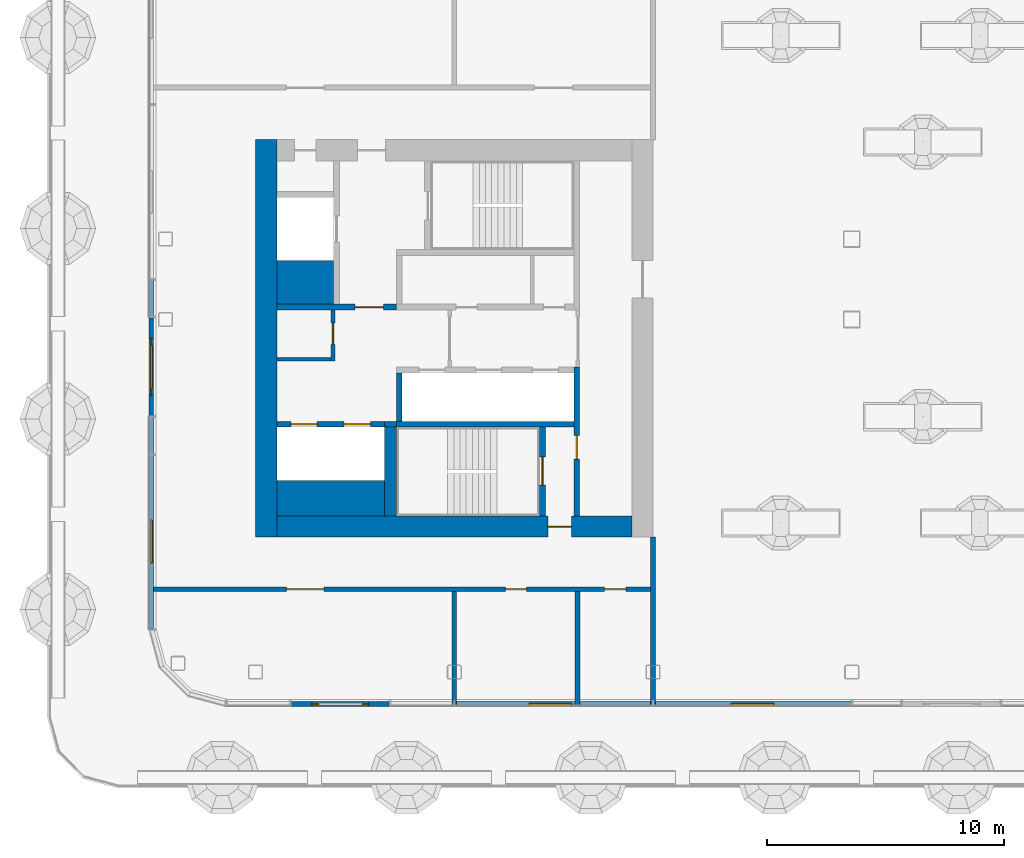
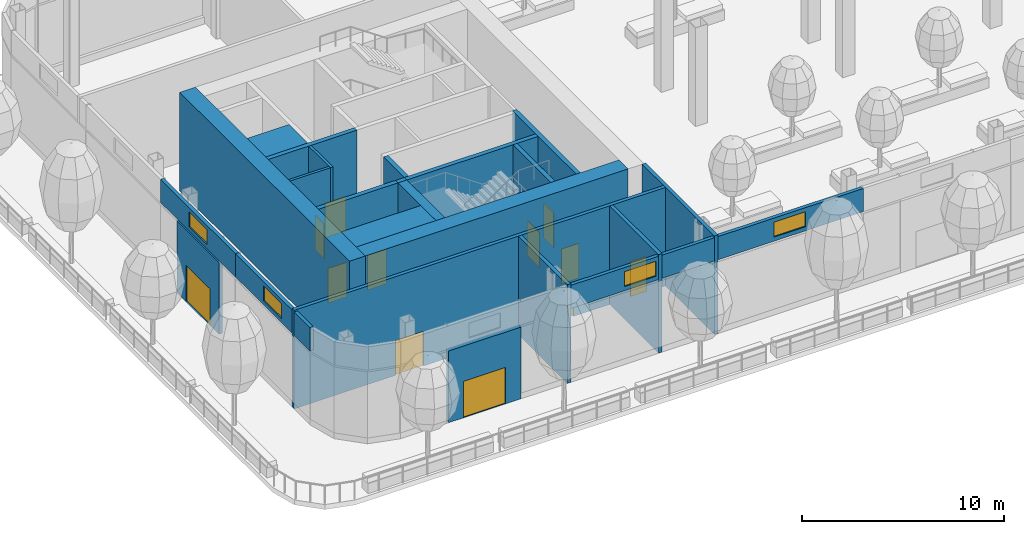
# One storey, part 10 of 41: 24 walls, 12 doors, 4 windows, 16 openings, 2 elements without a shape of their own.
"""IFC4 building model written with IfcOpenShell, lengths in metres."""

from ifc_helpers import new_model, si_unit, direction, frame, frame_2d, origin, place, context, subcontext, project, spatial, rectangle, extrude, material, layer, layer_set, type_object, element, fill, aggregate, save


model = new_model("IFC4")

# Units and contexts
model_context = context("Model", 3, precision=1e-05, world=origin(), true_north=direction((0.0, 1.0)))
body_context = subcontext(model_context, "Body", "Model", "MODEL_VIEW")
ifc_project = project(units=[si_unit("LENGTHUNIT", "METRE"), si_unit("AREAUNIT", "SQUARE_METRE"), si_unit("VOLUMEUNIT", "CUBIC_METRE"), si_unit("PLANEANGLEUNIT", "RADIAN"), si_unit("MASSUNIT", "GRAM", prefix="KILO")], contexts=[model_context])

# Site, building, storey
site_placement = place(None, origin())
site = spatial("IfcSite", under=ifc_project, at=site_placement, CompositionType="ELEMENT")
building_placement = place(site_placement, origin())
building = spatial("IfcBuilding", under=site, at=building_placement, Name="Hakoniwa Tower and Hamabe Station Hall", CompositionType="ELEMENT")
storey_placement = place(building_placement, frame((0.0, 0.0, 180.199951171875)))
storey = spatial("IfcBuildingStorey", under=building, at=storey_placement, Name="L51", CompositionType="ELEMENT", Elevation=180.199951171875)

# Wall, opening, door
ifc_material_1 = material(Name="Gypsum board partition")
ifc_layer_1 = layer(ifc_material_1, 0.14990234375)
ifc_layer_set_1 = layer_set([ifc_layer_1], Name="CORE PARTITION 150 EI 60")
wall_type_1 = type_object("IfcWallType", Name="CORE PARTITION 150 EI 60", PredefinedType="PARTITIONING", material=ifc_layer_set_1)
wall_1_placement = place(storey_placement, frame((-30.324951171875, -0.949951171875, 0.0), z_axis=(0.0, 0.0, 1.0), x_axis=(0.0, 1.0, 0.0)))
wall_1 = element("IfcWall", 1, at=wall_1_placement, inside=storey, type_object=wall_type_1, Name="Core partition PW0 west", PredefinedType="PARTITIONING", context=body_context, shape_type="SweptSolid", body=[
    extrude(rectangle(XDim=2.14990234375, YDim=0.14990234375, at=frame_2d((1.074951171875, 0.0))), origin(), (0.0, 0.0, 1.0), 5.949951171875),
])
opening_1_placement = place(wall_1_placement, frame((0.699951171875, 0.0, 0.0)))
opening_1 = element("IfcOpeningElement", 2, at=opening_1_placement, cuts=wall_1, Name="Opening CD-W-RM1-9", PredefinedType="OPENING", context=body_context, shape_type="SweptSolid", body=[
    extrude(rectangle(XDim=0.89990234375, YDim=2.10009765625, at=frame_2d((0.449951171875, 1.050048828125))), frame((0.0, 0.0849609375, 0.0), z_axis=(0.0, -1.0, 0.0), x_axis=(1.0, 0.0, 0.0)), (0.0, 0.0, 1.0), 0.169921875),
])
ifc_material_2 = material(Name="Steel fire door", Category="steel")
door_type_1 = type_object("IfcDoorType", Name="CORE DOOR 900 FD30", OperationType="NOTDEFINED", PredefinedType="DOOR", material=ifc_material_2)
door_1_placement = place(opening_1_placement, origin())
door_1 = element("IfcDoor", 3, at=door_1_placement, inside=storey, type_object=door_type_1, Name="Store room door", OperationType="SINGLE_SWING_RIGHT", OverallHeight=2.10009765625, OverallWidth=0.89990234375, PredefinedType="DOOR", context=body_context, shape_type="SweptSolid", body=[
    extrude(rectangle(XDim=0.89990234375, YDim=2.10009765625, at=frame_2d((0.449951171875, 1.050048828125))), frame((0.0, 0.02490234375, 0.0), z_axis=(0.0, -1.0, 0.0), x_axis=(1.0, 0.0, 0.0)), (0.0, 0.0, 1.0), 0.050048828125),
])
fill(opening_1, door_1)

# Walls
wall_2_placement = place(storey_placement, frame((-32.699951171875, -0.875, 0.0), z_axis=(0.0, 0.0, 1.0), x_axis=(1.0, 0.0, 0.0)))
element("IfcWall", 4, at=wall_2_placement, inside=storey, type_object=wall_type_1, Name="Core partition PS west", PredefinedType="PARTITIONING", context=body_context, shape_type="SweptSolid", body=[
    extrude(rectangle(XDim=2.300048828125, YDim=0.14990234375, at=frame_2d((1.14990234375, 0.0))), origin(), (0.0, 0.0, 1.0), 5.949951171875),
])
ifc_material_3 = material(Name="Concrete C60", Category="concrete")
ifc_layer_2 = layer(ifc_material_3, 0.89990234375)
ifc_layer_set_2 = layer_set([ifc_layer_2], Name="CORE WALL 900 C60")
wall_type_2 = type_object("IfcWallType", Name="CORE WALL 900 C60", PredefinedType="SHEAR", material=ifc_layer_set_2)
wall_3_placement = place(storey_placement, frame((-33.14990234375, -8.39990234375, 0.0), z_axis=(0.0, 0.0, 1.0), x_axis=(0.0, 1.0, 0.0)))
element("IfcWall", 5, at=wall_3_placement, inside=storey, type_object=wall_type_2, Name="Core wall OUTER west", PredefinedType="SHEAR", context=body_context, shape_type="SweptSolid", body=[
    extrude(rectangle(XDim=16.7998046875, YDim=0.89990234375, at=frame_2d((8.39990234375, 0.0))), origin(), (0.0, 0.0, 1.0), 5.949951171875),
])

# Wall, opening, door
wall_4_placement = place(storey_placement, frame((-32.699951171875, -7.949951171875, 0.0), z_axis=(0.0, 0.0, 1.0), x_axis=(1.0, 0.0, 0.0)))
wall_4 = element("IfcWall", 6, at=wall_4_placement, inside=storey, type_object=wall_type_2, Name="Core wall SOUTH west", PredefinedType="SHEAR", context=body_context, shape_type="SweptSolid", body=[
    extrude(rectangle(XDim=15.0, YDim=0.89990234375, at=frame_2d((7.5, 0.0))), origin(), (0.0, 0.0, 1.0), 5.949951171875),
])
opening_2_placement = place(wall_4_placement, frame((11.449951171875, 0.0, 0.0)))
opening_2 = element("IfcOpeningElement", 7, at=opening_2_placement, cuts=wall_4, Name="Opening CD-W-FS3-10", PredefinedType="OPENING", context=body_context, shape_type="SweptSolid", body=[
    extrude(rectangle(XDim=1.0, YDim=2.10009765625, at=frame_2d((0.5, 1.050048828125))), frame((0.0, 0.4599609375, 0.0), z_axis=(0.0, -1.0, 0.0), x_axis=(1.0, 0.0, 0.0)), (0.0, 0.0, 1.0), 0.919921875),
])
ifc_material_4 = material(Name="Steel fire door", Category="steel")
door_type_2 = type_object("IfcDoorType", Name="CORE DOOR 1000 FD60", OperationType="NOTDEFINED", PredefinedType="DOOR", material=ifc_material_4)
door_2_placement = place(opening_2_placement, origin())
door_2 = element("IfcDoor", 8, at=door_2_placement, inside=storey, type_object=door_type_2, Name="Stair vestibule door", OperationType="SINGLE_SWING_LEFT", OverallHeight=2.10009765625, OverallWidth=1.0, PredefinedType="DOOR", context=body_context, shape_type="SweptSolid", body=[
    extrude(rectangle(XDim=1.0, YDim=2.10009765625, at=frame_2d((0.5, 1.050048828125))), frame((0.0, 0.02490234375, 0.0), z_axis=(0.0, -1.0, 0.0), x_axis=(1.0, 0.0, 0.0)), (0.0, 0.0, 1.0), 0.050048828125),
])
fill(opening_2, door_2)

# Walls
ifc_material_5 = material(Name="Concrete C60", Category="concrete")
ifc_layer_3 = layer(ifc_material_5, 1.5)
ifc_layer_set_3 = layer_set([ifc_layer_3], Name="CORE WEB WALL 1500 C60")
wall_type_3 = type_object("IfcWallType", Name="CORE WEB WALL 1500 C60", PredefinedType="SHEAR", material=ifc_layer_set_3)
wall_5_placement = place(storey_placement, frame((-32.699951171875, -6.75, 0.0), z_axis=(0.0, 0.0, 1.0), x_axis=(1.0, 0.0, 0.0)))
element("IfcWall", 9, at=wall_5_placement, inside=storey, type_object=wall_type_3, Name="Core wall SER west", PredefinedType="SHEAR", context=body_context, shape_type="SweptSolid", body=[
    extrude(rectangle(XDim=4.550048828125, YDim=1.5, at=frame_2d((2.27490234375, 0.0))), origin(), (0.0, 0.0, 1.0), 5.949951171875),
])
ifc_material_6 = material(Name="Concrete C60", Category="concrete")
ifc_layer_4 = layer(ifc_material_6, 1.85009765625)
ifc_layer_set_4 = layer_set([ifc_layer_4], Name="CORE WEB WALL 1850 C60")
wall_type_4 = type_object("IfcWallType", Name="CORE WEB WALL 1850 C60", PredefinedType="SHEAR", material=ifc_layer_set_4)
wall_6_placement = place(storey_placement, frame((-32.699951171875, 2.375, 0.0), z_axis=(0.0, 0.0, 1.0), x_axis=(1.0, 0.0, 0.0)))
element("IfcWall", 10, at=wall_6_placement, inside=storey, type_object=wall_type_4, Name="Core wall CA west", PredefinedType="SHEAR", context=body_context, shape_type="SweptSolid", body=[
    extrude(rectangle(XDim=2.39990234375, YDim=1.85009765625, at=frame_2d((1.199951171875, 0.0))), origin(), (0.0, 0.0, 1.0), 5.949951171875),
])

# Wall, opening, door
ifc_material_7 = material(Name="Concrete C60", Category="concrete")
ifc_layer_5 = layer(ifc_material_7, 0.25)
ifc_layer_set_5 = layer_set([ifc_layer_5], Name="CORE WEB WALL 250 C60")
wall_type_5 = type_object("IfcWallType", Name="CORE WEB WALL 250 C60", PredefinedType="SHEAR", material=ifc_layer_set_5)
wall_7_placement = place(storey_placement, frame((-20.02490234375, -7.5, 0.0), z_axis=(0.0, 0.0, 1.0), x_axis=(0.0, 1.0, 0.0)))
wall_7 = element("IfcWall", 11, at=wall_7_placement, inside=storey, type_object=wall_type_5, Name="Core wall W1S west", PredefinedType="SHEAR", context=body_context, shape_type="SweptSolid", body=[
    extrude(rectangle(XDim=6.300048828125, YDim=0.25, at=frame_2d((3.14990234375, 0.0))), origin(), (0.0, 0.0, 1.0), 5.949951171875),
])
opening_3_placement = place(wall_7_placement, frame((2.39990234375, 0.0, 0.0)))
opening_3 = element("IfcOpeningElement", 12, at=opening_3_placement, cuts=wall_7, Name="Opening CD-W-VS-10", PredefinedType="OPENING", context=body_context, shape_type="SweptSolid", body=[
    extrude(rectangle(XDim=1.0, YDim=2.10009765625, at=frame_2d((0.5, 1.050048828125))), frame((0.0, 0.135009765625, 0.0), z_axis=(0.0, -1.0, 0.0), x_axis=(1.0, 0.0, 0.0)), (0.0, 0.0, 1.0), 0.27001953125),
])
door_3_placement = place(opening_3_placement, origin())
door_3 = element("IfcDoor", 13, at=door_3_placement, inside=storey, type_object=door_type_2, Name="Stair vestibule door", OperationType="SINGLE_SWING_LEFT", OverallHeight=2.10009765625, OverallWidth=1.0, PredefinedType="DOOR", context=body_context, shape_type="SweptSolid", body=[
    extrude(rectangle(XDim=1.0, YDim=2.10009765625, at=frame_2d((0.5, 1.050048828125))), frame((0.0, 0.02490234375, 0.0), z_axis=(0.0, -1.0, 0.0), x_axis=(1.0, 0.0, 0.0)), (0.0, 0.0, 1.0), 0.050048828125),
])
fill(opening_3, door_3)

wall_8_placement = place(storey_placement, frame((-32.699951171875, 1.324951171875, 0.0), z_axis=(0.0, 0.0, 1.0), x_axis=(1.0, 0.0, 0.0)))
wall_8 = element("IfcWall", 14, at=wall_8_placement, inside=storey, type_object=wall_type_5, Name="Core wall ELN west", PredefinedType="SHEAR", context=body_context, shape_type="SweptSolid", body=[
    extrude(rectangle(XDim=5.050048828125, YDim=0.25, at=frame_2d((2.52490234375, 0.0))), origin(), (0.0, 0.0, 1.0), 5.949951171875),
])
opening_4_placement = place(wall_8_placement, frame((3.300048828125, 0.0, 0.0)))
opening_4 = element("IfcOpeningElement", 15, at=opening_4_placement, cuts=wall_8, Name="Opening CD-W-FL-12", PredefinedType="OPENING", context=body_context, shape_type="SweptSolid", body=[
    extrude(rectangle(XDim=1.199951171875, YDim=2.10009765625, at=frame_2d((0.60009765625, 1.050048828125))), frame((0.0, 0.135009765625, 0.0), z_axis=(0.0, -1.0, 0.0), x_axis=(1.0, 0.0, 0.0)), (0.0, 0.0, 1.0), 0.27001953125),
])
ifc_material_8 = material(Name="Steel fire door", Category="steel")
door_type_3 = type_object("IfcDoorType", Name="CORE DOOR 1200 FD60", OperationType="DOUBLE_DOOR_SINGLE_SWING", PredefinedType="DOOR", material=ifc_material_8)
door_4_placement = place(opening_4_placement, origin())
door_4 = element("IfcDoor", 16, at=door_4_placement, inside=storey, type_object=door_type_3, Name="Stair vestibule door to the fire-fighting lobby", OperationType="DOUBLE_DOOR_SINGLE_SWING", OverallHeight=2.10009765625, OverallWidth=1.199951171875, PredefinedType="DOOR", context=body_context, shape_type="SweptSolid", body=[
    extrude(rectangle(XDim=1.199951171875, YDim=2.10009765625, at=frame_2d((0.60009765625, 1.050048828125))), frame((0.0, 0.02490234375, 0.0), z_axis=(0.0, -1.0, 0.0), x_axis=(1.0, 0.0, 0.0)), (0.0, 0.0, 1.0), 0.050048828125),
])
fill(opening_4, door_4)

# Walls
wall_9_placement = place(storey_placement, frame((-27.52490234375, -3.5, 0.0), z_axis=(0.0, 0.0, 1.0), x_axis=(0.0, 1.0, 0.0)))
element("IfcWall", 17, at=wall_9_placement, inside=storey, type_object=wall_type_5, Name="Core wall SE west", PredefinedType="SHEAR", context=body_context, shape_type="SweptSolid", body=[
    extrude(rectangle(XDim=2.050048828125, YDim=0.25, at=frame_2d((1.02490234375, 0.0))), origin(), (0.0, 0.0, 1.0), 5.949951171875),
])
wall_10_placement = place(storey_placement, frame((-27.64990234375, -3.625, 0.0), z_axis=(0.0, 0.0, 1.0), x_axis=(1.0, 0.0, 0.0)))
element("IfcWall", 18, at=wall_10_placement, inside=storey, type_object=wall_type_5, Name="Core wall SR west", PredefinedType="SHEAR", context=body_context, shape_type="SweptSolid", body=[
    extrude(rectangle(XDim=7.5, YDim=0.25, at=frame_2d((3.75, 0.0))), origin(), (0.0, 0.0, 1.0), 5.949951171875),
])

# Wall, opening, door
wall_11_placement = place(storey_placement, frame((-21.47509765625, -7.5, 0.0), z_axis=(0.0, 0.0, 1.0), x_axis=(0.0, 1.0, 0.0)))
wall_11 = element("IfcWall", 19, at=wall_11_placement, inside=storey, type_object=wall_type_5, Name="Core wall VE west", PredefinedType="SHEAR", context=body_context, shape_type="SweptSolid", body=[
    extrude(rectangle(XDim=3.75, YDim=0.25, at=frame_2d((1.875, 0.0))), origin(), (0.0, 0.0, 1.0), 5.949951171875),
])
opening_5_placement = place(wall_11_placement, frame((1.300048828125, 0.0, 0.0)))
opening_5 = element("IfcOpeningElement", 20, at=opening_5_placement, cuts=wall_11, Name="Opening CD-W-SS-12", PredefinedType="OPENING", context=body_context, shape_type="SweptSolid", body=[
    extrude(rectangle(XDim=1.199951171875, YDim=2.10009765625, at=frame_2d((0.60009765625, 1.050048828125))), frame((0.0, 0.135009765625, 0.0), z_axis=(0.0, -1.0, 0.0), x_axis=(1.0, 0.0, 0.0)), (0.0, 0.0, 1.0), 0.27001953125),
])
door_5_placement = place(opening_5_placement, origin())
door_5 = element("IfcDoor", 21, at=door_5_placement, inside=storey, type_object=door_type_3, Name="Escape stair door", OperationType="DOUBLE_DOOR_SINGLE_SWING", OverallHeight=2.10009765625, OverallWidth=1.199951171875, PredefinedType="DOOR", context=body_context, shape_type="SweptSolid", body=[
    extrude(rectangle(XDim=1.199951171875, YDim=2.10009765625, at=frame_2d((0.60009765625, 1.050048828125))), frame((0.0, 0.02490234375, 0.0), z_axis=(0.0, -1.0, 0.0), x_axis=(1.0, 0.0, 0.0)), (0.0, 0.0, 1.0), 0.050048828125),
])
fill(opening_5, door_5)

# Wall, openings, doors
wall_12_placement = place(storey_placement, frame((-32.699951171875, -3.625, 0.0), z_axis=(0.0, 0.0, 1.0), x_axis=(1.0, 0.0, 0.0)))
wall_12 = element("IfcWall", 22, at=wall_12_placement, inside=storey, type_object=wall_type_5, Name="Core wall SEF west", PredefinedType="SHEAR", context=body_context, shape_type="SweptSolid", body=[
    extrude(rectangle(XDim=4.550048828125, YDim=0.25, at=frame_2d((2.27490234375, 0.0))), origin(), (0.0, 0.0, 1.0), 5.949951171875),
])
opening_6_placement = place(wall_12_placement, frame((2.85009765625, 0.0, 0.0)))
opening_6 = element("IfcOpeningElement", 23, at=opening_6_placement, cuts=wall_12, Name="Opening LD-SV1", PredefinedType="OPENING", context=body_context, shape_type="SweptSolid", body=[
    extrude(rectangle(XDim=1.10009765625, YDim=2.10009765625, at=frame_2d((0.550048828125, 1.050048828125))), frame((0.0, 0.135009765625, 0.0), z_axis=(0.0, -1.0, 0.0), x_axis=(1.0, 0.0, 0.0)), (0.0, 0.0, 1.0), 0.27001953125),
])
opening_7_placement = place(wall_12_placement, frame((0.60009765625, 0.0, 0.0)))
opening_7 = element("IfcOpeningElement", 24, at=opening_7_placement, cuts=wall_12, Name="Opening LD-SV2", PredefinedType="OPENING", context=body_context, shape_type="SweptSolid", body=[
    extrude(rectangle(XDim=1.10009765625, YDim=2.10009765625, at=frame_2d((0.550048828125, 1.050048828125))), frame((0.0, 0.135009765625, 0.0), z_axis=(0.0, -1.0, 0.0), x_axis=(1.0, 0.0, 0.0)), (0.0, 0.0, 1.0), 0.27001953125),
])
ifc_material_9 = material(Name="Stainless steel SUS304", Category="steel")
door_type_4 = type_object("IfcDoorType", Name="LIFT LANDING DOOR 1100 FD60", OperationType="DOUBLE_DOOR_SLIDING", PredefinedType="DOOR", material=ifc_material_9)
door_6_placement = place(opening_6_placement, origin())
door_6 = element("IfcDoor", 25, at=door_6_placement, inside=storey, type_object=door_type_4, Name="Lift landing door SV1 L51", OperationType="DOUBLE_DOOR_SLIDING", OverallHeight=2.10009765625, OverallWidth=1.10009765625, PredefinedType="DOOR", context=body_context, shape_type="SweptSolid", body=[
    extrude(rectangle(XDim=1.10009765625, YDim=2.10009765625, at=frame_2d((0.550048828125, 1.050048828125))), frame((0.0, 0.02490234375, 0.0), z_axis=(0.0, -1.0, 0.0), x_axis=(1.0, 0.0, 0.0)), (0.0, 0.0, 1.0), 0.050048828125),
])
fill(opening_6, door_6)
door_7_placement = place(opening_7_placement, origin())
door_7 = element("IfcDoor", 26, at=door_7_placement, inside=storey, type_object=door_type_4, Name="Lift landing door SV2 L51", OperationType="DOUBLE_DOOR_SLIDING", OverallHeight=2.10009765625, OverallWidth=1.10009765625, PredefinedType="DOOR", context=body_context, shape_type="SweptSolid", body=[
    extrude(rectangle(XDim=1.10009765625, YDim=2.10009765625, at=frame_2d((0.550048828125, 1.050048828125))), frame((0.0, 0.02490234375, 0.0), z_axis=(0.0, -1.0, 0.0), x_axis=(1.0, 0.0, 0.0)), (0.0, 0.0, 1.0), 0.050048828125),
])
fill(opening_7, door_7)

# Walls
wall_13_placement = place(storey_placement, frame((-28.14990234375, -3.625, 0.0), z_axis=(0.0, 0.0, 1.0), x_axis=(1.0, 0.0, 0.0)))
element("IfcWall", 27, at=wall_13_placement, inside=storey, type_object=wall_type_5, Name="Core wall SRK west", PredefinedType="SHEAR", context=body_context, shape_type="SweptSolid", body=[
    extrude(rectangle(XDim=0.5, YDim=0.25, at=frame_2d((0.25, 0.0))), origin(), (0.0, 0.0, 1.0), 5.949951171875),
])
ifc_material_10 = material(Name="Concrete C60", Category="concrete")
ifc_layer_6 = layer(ifc_material_10, 0.5)
ifc_layer_set_6 = layer_set([ifc_layer_6], Name="CORE WEB WALL 500 C60")
wall_type_6 = type_object("IfcWallType", Name="CORE WEB WALL 500 C60", PredefinedType="SHEAR", material=ifc_layer_set_6)
wall_14_placement = place(storey_placement, frame((-27.89990234375, -7.5, 0.0), z_axis=(0.0, 0.0, 1.0), x_axis=(0.0, 1.0, 0.0)))
element("IfcWall", 28, at=wall_14_placement, inside=storey, type_object=wall_type_6, Name="Core wall SSE west", PredefinedType="SHEAR", context=body_context, shape_type="SweptSolid", body=[
    extrude(rectangle(XDim=3.75, YDim=0.5, at=frame_2d((1.875, 0.0))), origin(), (0.0, 0.0, 1.0), 5.949951171875),
])

# Wall, openings, doors
ifc_material_11 = material(Name="Fire-rated gypsum board partition", Category="gypsum")
ifc_layer_7 = layer(ifc_material_11, 0.199951171875)
ifc_layer_set_7 = layer_set([ifc_layer_7], Name="Corridor Wall 200")
wall_type_7 = type_object("IfcWallType", Name="Corridor Wall 200", PredefinedType="PARTITIONING", material=ifc_layer_set_7)
wall_15_placement = place(storey_placement, frame((-38.10009765625, -10.60009765625, 0.0), z_axis=(0.0, 0.0, 1.0), x_axis=(1.0, 0.0, 0.0)))
wall_15 = element("IfcWall", 29, at=wall_15_placement, inside=storey, type_object=wall_type_7, Name="GW-L51-002", PredefinedType="PARTITIONING", context=body_context, shape_type="SweptSolid", body=[
    extrude(rectangle(XDim=21.300048828125, YDim=0.199951171875, at=frame_2d((10.64990234375, 0.0))), origin(), (0.0, 0.0, 1.0), 5.949951171875),
])
opening_8_placement = place(wall_15_placement, frame((5.800048828125, 0.0, 0.0)))
opening_8 = element("IfcOpeningElement", 30, at=opening_8_placement, cuts=wall_15, Name="Opening GD-SL51-01", PredefinedType="OPENING", context=body_context, shape_type="SweptSolid", body=[
    extrude(rectangle(XDim=1.60009765625, YDim=2.10009765625, at=frame_2d((0.800048828125, 1.050048828125))), frame((0.0, 0.10986328125, 0.0), z_axis=(0.0, -1.0, 0.0), x_axis=(1.0, 0.0, 0.0)), (0.0, 0.0, 1.0), 0.219970703125),
])
opening_9_placement = place(wall_15_placement, frame((15.054931640625, 0.0, 0.0)))
opening_9 = element("IfcOpeningElement", 31, at=opening_9_placement, cuts=wall_15, Name="Opening GD-SL51-02", PredefinedType="OPENING", context=body_context, shape_type="SweptSolid", body=[
    extrude(rectangle(XDim=0.89990234375, YDim=2.10009765625, at=frame_2d((0.449951171875, 1.050048828125))), frame((0.0, 0.10986328125, 0.0), z_axis=(0.0, -1.0, 0.0), x_axis=(1.0, 0.0, 0.0)), (0.0, 0.0, 1.0), 0.219970703125),
])
opening_10_placement = place(wall_15_placement, frame((19.2548828125, 0.0, 0.0)))
opening_10 = element("IfcOpeningElement", 32, at=opening_10_placement, cuts=wall_15, Name="Opening GD-SL51-03", PredefinedType="OPENING", context=body_context, shape_type="SweptSolid", body=[
    extrude(rectangle(XDim=0.89990234375, YDim=2.10009765625, at=frame_2d((0.449951171875, 1.050048828125))), frame((0.0, 0.10986328125, 0.0), z_axis=(0.0, -1.0, 0.0), x_axis=(1.0, 0.0, 0.0)), (0.0, 0.0, 1.0), 0.219970703125),
])
ifc_material_12 = material(Name="Timber door leaf", Category="wood")
door_type_5 = type_object("IfcDoorType", Name="Double Door 1600", OperationType="DOUBLE_DOOR_SINGLE_SWING", PredefinedType="DOOR", material=ifc_material_12)
door_8_placement = place(opening_8_placement, origin())
door_8 = element("IfcDoor", 33, at=door_8_placement, inside=storey, type_object=door_type_5, Name="Door GD-SL51-01", OperationType="DOUBLE_DOOR_SINGLE_SWING", OverallHeight=2.10009765625, OverallWidth=1.60009765625, PredefinedType="DOOR", context=body_context, shape_type="SweptSolid", body=[
    extrude(rectangle(XDim=1.60009765625, YDim=2.10009765625, at=frame_2d((0.800048828125, 1.050048828125))), frame((0.0, 0.02490234375, 0.0), z_axis=(0.0, -1.0, 0.0), x_axis=(1.0, 0.0, 0.0)), (0.0, 0.0, 1.0), 0.050048828125),
])
fill(opening_8, door_8)
ifc_material_13 = material(Name="Timber door leaf", Category="wood")
door_type_6 = type_object("IfcDoorType", Name="Service Door 900", OperationType="SINGLE_SWING_LEFT", PredefinedType="DOOR", material=ifc_material_13)
door_9_placement = place(opening_9_placement, origin())
door_9 = element("IfcDoor", 34, at=door_9_placement, inside=storey, type_object=door_type_6, Name="Door GD-SL51-02", OperationType="SINGLE_SWING_LEFT", OverallHeight=2.10009765625, OverallWidth=0.89990234375, PredefinedType="DOOR", context=body_context, shape_type="SweptSolid", body=[
    extrude(rectangle(XDim=0.89990234375, YDim=2.10009765625, at=frame_2d((0.449951171875, 1.050048828125))), frame((0.0, 0.02490234375, 0.0), z_axis=(0.0, -1.0, 0.0), x_axis=(1.0, 0.0, 0.0)), (0.0, 0.0, 1.0), 0.050048828125),
])
fill(opening_9, door_9)
door_10_placement = place(opening_10_placement, origin())
door_10 = element("IfcDoor", 35, at=door_10_placement, inside=storey, type_object=door_type_6, Name="Door GD-SL51-03", OperationType="SINGLE_SWING_RIGHT", OverallHeight=2.10009765625, OverallWidth=0.89990234375, PredefinedType="DOOR", context=body_context, shape_type="SweptSolid", body=[
    extrude(rectangle(XDim=0.89990234375, YDim=2.10009765625, at=frame_2d((0.449951171875, 1.050048828125))), frame((0.0, 0.02490234375, 0.0), z_axis=(0.0, -1.0, 0.0), x_axis=(1.0, 0.0, 0.0)), (0.0, 0.0, 1.0), 0.050048828125),
])
fill(opening_10, door_10)

# Curtain wall, wall, opening, door
ifc_material_14 = material(Name="Dark low-e laminated glass", Category="glass")
ifc_layer_8 = layer(ifc_material_14, 0.199951171875)
ifc_layer_set_8 = layer_set([ifc_layer_8], Name="CW-2 SKY GARDEN")
curtain_wall_type = type_object("IfcCurtainWallType", Name="CW-2 SKY GARDEN", PredefinedType="NOTDEFINED", material=ifc_layer_set_8)
curtain_wall_1_placement = place(storey_placement, origin())
curtain_wall_1 = element("IfcCurtainWall", 36, at=curtain_wall_1_placement, inside=storey, type_object=curtain_wall_type, Name="CW-2 curtain wall", PredefinedType="NOTDEFINED")
ifc_material_15 = material(Name="Dark glass-faced aluminium panel", Category="aluminium")
ifc_layer_9 = layer(ifc_material_15, 0.199951171875)
ifc_layer_set_9 = layer_set([ifc_layer_9], Name="DOOR BAY WALL")
wall_type_8 = type_object("IfcWallType", Name="DOOR BAY WALL", PredefinedType="NOTDEFINED", material=ifc_layer_set_9)
wall_16_placement = place(storey_placement, frame((-38.0, 0.87255859375, 0.0), z_axis=(0.0, 0.0, 1.0), x_axis=(0.0, -1.0, 0.0)))
wall_16 = element("IfcWall", 37, at=wall_16_placement, type_object=wall_type_8, Name="Door bay wall", PredefinedType="NOTDEFINED", context=body_context, shape_type="SweptSolid", body=[
    extrude(rectangle(XDim=4.139892578125, YDim=0.199951171875, at=frame_2d((2.06982421875, 0.0))), origin(), (0.0, 0.0, 1.0), 4.330078125),
])
opening_11_placement = place(wall_16_placement, frame((0.8701171875, 0.0, 0.0)))
opening_11 = element("IfcOpeningElement", 38, at=opening_11_placement, cuts=wall_16, Name="Opening TD-W05-T3", PredefinedType="OPENING", context=body_context, shape_type="SweptSolid", body=[
    extrude(rectangle(XDim=2.39990234375, YDim=2.199951171875, at=frame_2d((1.199951171875, 1.10009765625))), frame((0.0, 0.10986328125, 0.0), z_axis=(0.0, -1.0, 0.0), x_axis=(1.0, 0.0, 0.0)), (0.0, 0.0, 1.0), 0.219970703125),
])
ifc_material_16 = material(Name="Dark low-e laminated glass", Category="glass")
door_type_7 = type_object("IfcDoorType", Name="BALCONY SLIDING DOOR 2400X2200", OperationType="SLIDING_TO_LEFT", PredefinedType="DOOR", material=ifc_material_16)
door_11_placement = place(opening_11_placement, frame((2.39990234375, 0.0, 0.0), z_axis=(0.0, 0.0, 1.0), x_axis=(-1.0, 0.0, 0.0)))
door_11 = element("IfcDoor", 39, at=door_11_placement, inside=storey, type_object=door_type_7, Name="Balcony sliding door", OperationType="SLIDING_TO_LEFT", OverallHeight=2.199951171875, OverallWidth=2.39990234375, PredefinedType="DOOR", context=body_context, shape_type="SweptSolid", body=[
    extrude(rectangle(XDim=2.39990234375, YDim=2.199951171875, at=frame_2d((1.199951171875, 1.10009765625))), frame((0.0, 0.02490234375, 0.0), z_axis=(0.0, -1.0, 0.0), x_axis=(1.0, 0.0, 0.0)), (0.0, 0.0, 1.0), 0.050048828125),
])
fill(opening_11, door_11)

curtain_wall_2_placement = place(storey_placement, origin())
curtain_wall_2 = element("IfcCurtainWall", 40, at=curtain_wall_2_placement, inside=storey, type_object=curtain_wall_type, Name="CW-2 curtain wall", PredefinedType="NOTDEFINED")
wall_17_placement = place(storey_placement, frame((-32.08984375, -15.449951171875, 0.0), z_axis=(0.0, 0.0, 1.0), x_axis=(1.0, 0.0, 0.0)))
wall_17 = element("IfcWall", 41, at=wall_17_placement, type_object=wall_type_8, Name="Door bay wall", PredefinedType="NOTDEFINED", context=body_context, shape_type="SweptSolid", body=[
    extrude(rectangle(XDim=4.14013671875, YDim=0.199951171875, at=frame_2d((2.070068359375, 0.0))), origin(), (0.0, 0.0, 1.0), 4.330078125),
])
opening_12_placement = place(wall_17_placement, frame((0.8701171875, 0.0, 0.0)))
opening_12 = element("IfcOpeningElement", 42, at=opening_12_placement, cuts=wall_17, Name="Opening TD-S07-T4", PredefinedType="OPENING", context=body_context, shape_type="SweptSolid", body=[
    extrude(rectangle(XDim=2.39990234375, YDim=2.199951171875, at=frame_2d((1.199951171875, 1.10009765625))), frame((0.0, 0.10986328125, 0.0), z_axis=(0.0, -1.0, 0.0), x_axis=(1.0, 0.0, 0.0)), (0.0, 0.0, 1.0), 0.219970703125),
])
door_12_placement = place(opening_12_placement, frame((2.39990234375, 0.0, 0.0), z_axis=(0.0, 0.0, 1.0), x_axis=(-1.0, 0.0, 0.0)))
door_12 = element("IfcDoor", 43, at=door_12_placement, inside=storey, type_object=door_type_7, Name="Balcony sliding door", OperationType="SLIDING_TO_LEFT", OverallHeight=2.199951171875, OverallWidth=2.39990234375, PredefinedType="DOOR", context=body_context, shape_type="SweptSolid", body=[
    extrude(rectangle(XDim=2.39990234375, YDim=2.199951171875, at=frame_2d((1.199951171875, 1.10009765625))), frame((0.0, 0.02490234375, 0.0), z_axis=(0.0, -1.0, 0.0), x_axis=(1.0, 0.0, 0.0)), (0.0, 0.0, 1.0), 0.050048828125),
])
fill(opening_12, door_12)

# Walls
ifc_material_17 = material(Name="Fire-rated gypsum board partition", Category="gypsum")
ifc_layer_10 = layer(ifc_material_17, 0.199951171875)
ifc_layer_set_10 = layer_set([ifc_layer_10], Name="Party Wall 200")
wall_type_9 = type_object("IfcWallType", Name="Party Wall 200", PredefinedType="PARTITIONING", material=ifc_layer_set_10)
for number, where, z_axis, x_axis, name in (
    (44, (-25.199951171875, -15.550048828125, 0.0), (0.0, 0.0, 1.0), (0.0, 1.0, 0.0), "GW-L51-006"),
    (45, (-19.989990234375, -15.550048828125, 0.0), (0.0, 0.0, 1.0), (0.0, 1.0, 0.0), "GW-L51-008"),
):
    element("IfcWall", number, at=place(storey_placement, frame(where, z_axis=z_axis, x_axis=x_axis)), inside=storey, type_object=wall_type_9, Name=name, PredefinedType="PARTITIONING", context=body_context, shape_type="SweptSolid", body=[
        extrude(rectangle(XDim=4.85009765625, YDim=0.199951171875, at=frame_2d((2.425048828125, 0.0))), origin(), (0.0, 0.0, 1.0), 5.949951171875),
    ])
wall_18_placement = place(storey_placement, frame((-16.800048828125, -15.550048828125, 0.0), z_axis=(0.0, 0.0, 1.0), x_axis=(0.0, 1.0, 0.0)))
element("IfcWall", 46, at=wall_18_placement, inside=storey, type_object=wall_type_9, Name="GW-L51-009", PredefinedType="PARTITIONING", context=body_context, shape_type="SweptSolid", body=[
    extrude(rectangle(XDim=7.16015625, YDim=0.199951171875, at=frame_2d((3.580078125, 0.0))), origin(), (0.0, 0.0, 1.0), 5.949951171875),
])

# Wall, opening, window
ifc_material_18 = material(Name="Dark glass-faced aluminium panel", Category="aluminium")
ifc_layer_11 = layer(ifc_material_18, 0.199951171875)
ifc_layer_set_11 = layer_set([ifc_layer_11], Name="VENT BAND WALL")
wall_type_10 = type_object("IfcWallType", Name="VENT BAND WALL", PredefinedType="NOTDEFINED", material=ifc_layer_set_11)
wall_19_placement = place(storey_placement, frame((-38.0, 2.5, 4.449951171875), z_axis=(0.0, 0.0, 1.0), x_axis=(0.0, -1.0, 0.0)))
wall_19 = element("IfcWall", 47, at=wall_19_placement, type_object=wall_type_10, Name="Vent band wall", PredefinedType="NOTDEFINED", context=body_context, shape_type="SweptSolid", body=[
    extrude(rectangle(XDim=7.394775390625, YDim=0.199951171875, at=frame_2d((3.697265625, 0.0))), origin(), (0.0, 0.0, 1.0), 1.400146484375),
])
opening_13_placement = place(wall_19_placement, frame((2.79736328125, 0.0, 0.25)))
opening_13 = element("IfcOpeningElement", 48, at=opening_13_placement, cuts=wall_19, Name="Opening VW-1", PredefinedType="OPENING", context=body_context, shape_type="SweptSolid", body=[
    extrude(rectangle(XDim=1.800048828125, YDim=0.89990234375, at=frame_2d((0.89990234375, 0.449951171875))), frame((0.0, 0.10986328125, 0.0), z_axis=(0.0, -1.0, 0.0), x_axis=(1.0, 0.0, 0.0)), (0.0, 0.0, 1.0), 0.219970703125),
])
ifc_material_19 = material(Name="Dark low-e laminated glass", Category="glass")
window_type = type_object("IfcWindowType", Name="VENT WINDOW 1800X900", PartitioningType="SINGLE_PANEL", PredefinedType="WINDOW", material=ifc_material_19)
window_1_placement = place(opening_13_placement, origin())
window_1 = element("IfcWindow", 49, at=window_1_placement, inside=storey, type_object=window_type, Name="Vent window", OverallHeight=0.89990234375, OverallWidth=1.800048828125, PartitioningType="SINGLE_PANEL", PredefinedType="WINDOW", context=body_context, shape_type="SweptSolid", body=[
    extrude(rectangle(XDim=1.800048828125, YDim=0.89990234375, at=frame_2d((0.89990234375, 0.449951171875))), frame((0.0, 0.030029296875, 0.0), z_axis=(0.0, -1.0, 0.0), x_axis=(1.0, 0.0, 0.0)), (0.0, 0.0, 1.0), 0.06005859375),
])
fill(opening_13, window_1)

wall_20_placement = place(storey_placement, frame((-38.0, -4.894775390625, 4.449951171875), z_axis=(0.0, 0.0, 1.0), x_axis=(0.0, -1.0, 0.0)))
wall_20 = element("IfcWall", 50, at=wall_20_placement, type_object=wall_type_10, Name="Vent band wall", PredefinedType="NOTDEFINED", context=body_context, shape_type="SweptSolid", body=[
    extrude(rectangle(XDim=7.36474609375, YDim=0.199951171875, at=frame_2d((3.682373046875, 0.0))), origin(), (0.0, 0.0, 1.0), 1.400146484375),
])
opening_14_placement = place(wall_20_placement, frame((2.782470703125, 0.0, 0.25)))
opening_14 = element("IfcOpeningElement", 51, at=opening_14_placement, cuts=wall_20, Name="Opening VW-1", PredefinedType="OPENING", context=body_context, shape_type="SweptSolid", body=[
    extrude(rectangle(XDim=1.800048828125, YDim=0.89990234375, at=frame_2d((0.89990234375, 0.449951171875))), frame((0.0, 0.10986328125, 0.0), z_axis=(0.0, -1.0, 0.0), x_axis=(1.0, 0.0, 0.0)), (0.0, 0.0, 1.0), 0.219970703125),
])
window_2_placement = place(opening_14_placement, origin())
window_2 = element("IfcWindow", 52, at=window_2_placement, inside=storey, type_object=window_type, Name="Vent window", OverallHeight=0.89990234375, OverallWidth=1.800048828125, PartitioningType="SINGLE_PANEL", PredefinedType="WINDOW", context=body_context, shape_type="SweptSolid", body=[
    extrude(rectangle(XDim=1.800048828125, YDim=0.89990234375, at=frame_2d((0.89990234375, 0.449951171875))), frame((0.0, 0.030029296875, 0.0), z_axis=(0.0, -1.0, 0.0), x_axis=(1.0, 0.0, 0.0)), (0.0, 0.0, 1.0), 0.06005859375),
])
fill(opening_14, window_2)

aggregate(curtain_wall_1, [wall_19, wall_20, wall_16])

wall_21_placement = place(storey_placement, frame((-25.199951171875, -15.449951171875, 4.449951171875), z_axis=(0.0, 0.0, 1.0), x_axis=(1.0, 0.0, 0.0)))
wall_21 = element("IfcWall", 53, at=wall_21_placement, type_object=wall_type_10, Name="Vent band wall", PredefinedType="NOTDEFINED", context=body_context, shape_type="SweptSolid", body=[
    extrude(rectangle(XDim=8.39990234375, YDim=0.199951171875, at=frame_2d((4.199951171875, 0.0))), origin(), (0.0, 0.0, 1.0), 1.400146484375),
])
opening_15_placement = place(wall_21_placement, frame((3.159912109375, 0.0, 0.25)))
opening_15 = element("IfcOpeningElement", 54, at=opening_15_placement, cuts=wall_21, Name="Opening VW-1", PredefinedType="OPENING", context=body_context, shape_type="SweptSolid", body=[
    extrude(rectangle(XDim=1.800048828125, YDim=0.89990234375, at=frame_2d((0.89990234375, 0.449951171875))), frame((0.0, 0.10986328125, 0.0), z_axis=(0.0, -1.0, 0.0), x_axis=(1.0, 0.0, 0.0)), (0.0, 0.0, 1.0), 0.219970703125),
])
window_3_placement = place(opening_15_placement, origin())
window_3 = element("IfcWindow", 55, at=window_3_placement, inside=storey, type_object=window_type, Name="Vent window", OverallHeight=0.89990234375, OverallWidth=1.800048828125, PartitioningType="SINGLE_PANEL", PredefinedType="WINDOW", context=body_context, shape_type="SweptSolid", body=[
    extrude(rectangle(XDim=1.800048828125, YDim=0.89990234375, at=frame_2d((0.89990234375, 0.449951171875))), frame((0.0, 0.030029296875, 0.0), z_axis=(0.0, -1.0, 0.0), x_axis=(1.0, 0.0, 0.0)), (0.0, 0.0, 1.0), 0.06005859375),
])
fill(opening_15, window_3)

wall_22_placement = place(storey_placement, frame((-16.800048828125, -15.449951171875, 4.449951171875), z_axis=(0.0, 0.0, 1.0), x_axis=(1.0, 0.0, 0.0)))
wall_22 = element("IfcWall", 56, at=wall_22_placement, type_object=wall_type_10, Name="Vent band wall", PredefinedType="NOTDEFINED", context=body_context, shape_type="SweptSolid", body=[
    extrude(rectangle(XDim=8.400146484375, YDim=0.199951171875, at=frame_2d((4.2001953125, 0.0))), origin(), (0.0, 0.0, 1.0), 1.400146484375),
])
opening_16_placement = place(wall_22_placement, frame((3.300048828125, 0.0, 0.25)))
opening_16 = element("IfcOpeningElement", 57, at=opening_16_placement, cuts=wall_22, Name="Opening VW-1", PredefinedType="OPENING", context=body_context, shape_type="SweptSolid", body=[
    extrude(rectangle(XDim=1.800048828125, YDim=0.89990234375, at=frame_2d((0.89990234375, 0.449951171875))), frame((0.0, 0.10986328125, 0.0), z_axis=(0.0, -1.0, 0.0), x_axis=(1.0, 0.0, 0.0)), (0.0, 0.0, 1.0), 0.219970703125),
])
window_4_placement = place(opening_16_placement, origin())
window_4 = element("IfcWindow", 58, at=window_4_placement, inside=storey, type_object=window_type, Name="Vent window", OverallHeight=0.89990234375, OverallWidth=1.800048828125, PartitioningType="SINGLE_PANEL", PredefinedType="WINDOW", context=body_context, shape_type="SweptSolid", body=[
    extrude(rectangle(XDim=1.800048828125, YDim=0.89990234375, at=frame_2d((0.89990234375, 0.449951171875))), frame((0.0, 0.030029296875, 0.0), z_axis=(0.0, -1.0, 0.0), x_axis=(1.0, 0.0, 0.0)), (0.0, 0.0, 1.0), 0.06005859375),
])
fill(opening_16, window_4)

aggregate(curtain_wall_2, [wall_21, wall_22, wall_17])

save(model, "model.ifc")
